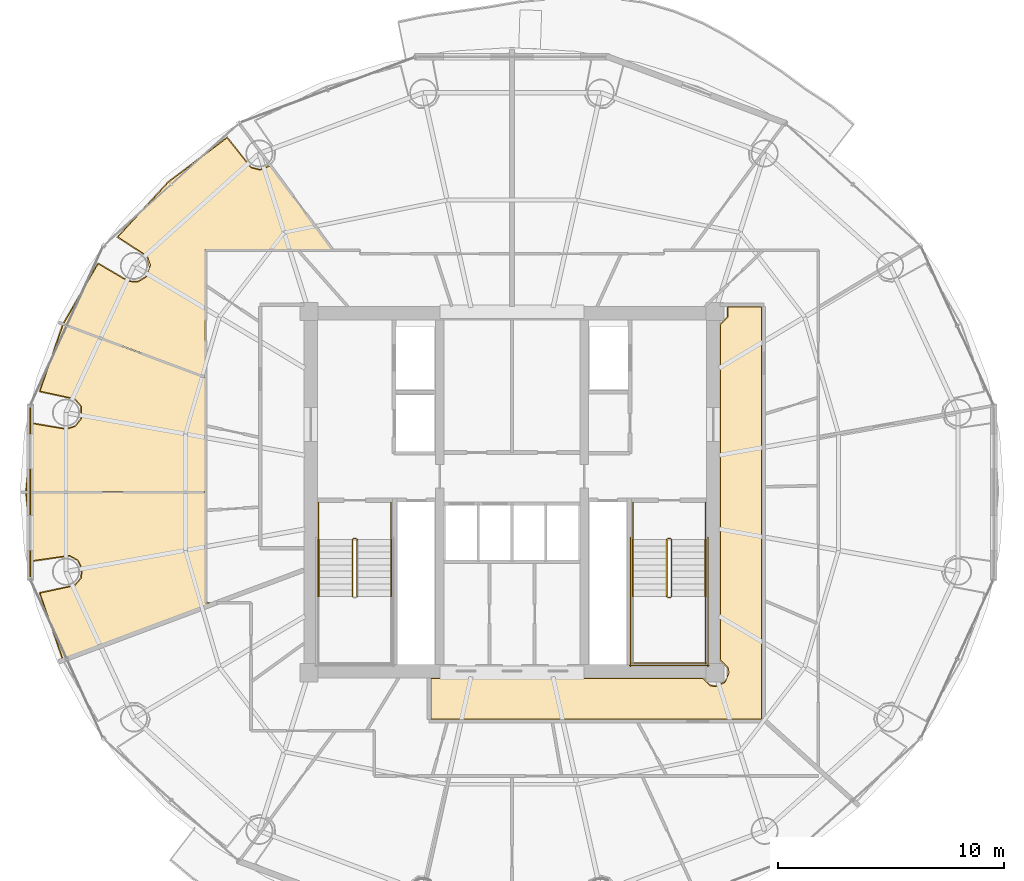
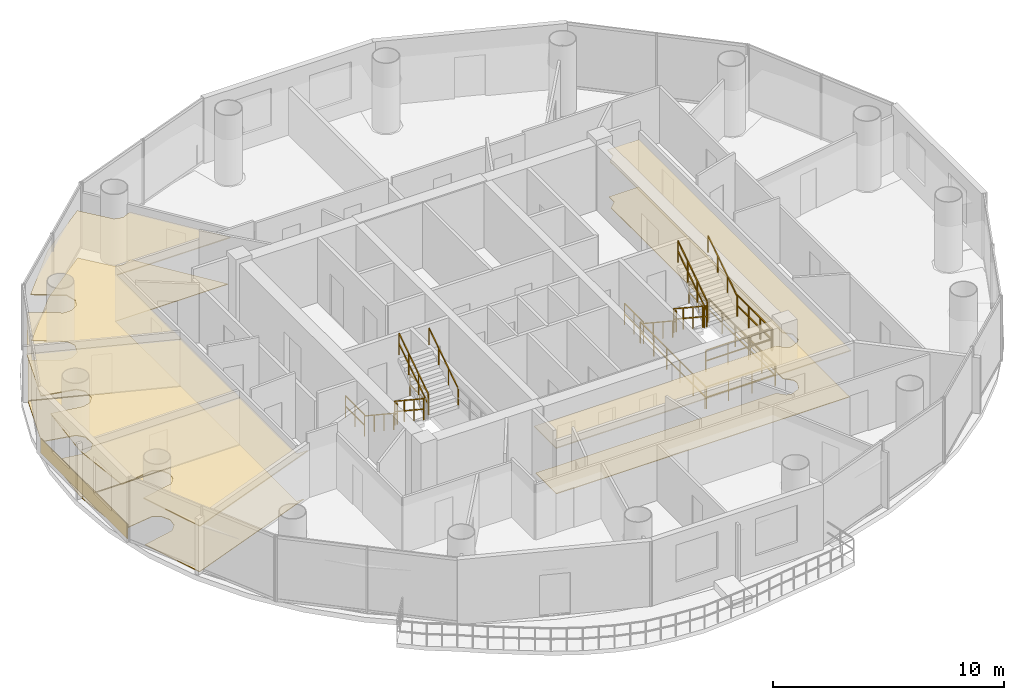
# One storey, part 25 of 26: 20 railings, 9 coverings.
"""IFC4 building model written with IfcOpenShell, lengths in metres."""

from ifc_helpers import new_model, si_unit, direction, frame, origin, origin_2d, place, context, subcontext, project, spatial, polyline, rectangle, outline, extrude, source, transform, mapped, material, layer, layer_set, type_object, element, save


model = new_model("IFC4")

# Units and contexts
model_context = context("Model", 3, precision=1e-05, world=origin(), true_north=direction((-0.2419218956, 0.970295726276)))
body_context = subcontext(model_context, "Body", "Model", "MODEL_VIEW")
ifc_project = project(units=[si_unit("LENGTHUNIT", "METRE"), si_unit("AREAUNIT", "SQUARE_METRE"), si_unit("VOLUMEUNIT", "CUBIC_METRE"), si_unit("PLANEANGLEUNIT", "RADIAN"), si_unit("MASSUNIT", "GRAM", prefix="KILO")], contexts=[model_context])

# Site, building, storey
site_placement = place(None, origin())
site = spatial("IfcSite", under=ifc_project, at=site_placement, CompositionType="ELEMENT")
building_placement = place(site_placement, origin())
building = spatial("IfcBuilding", under=site, at=building_placement, Name="Cobrevalo Terracotta Tower", CompositionType="ELEMENT")
storey_placement = place(building_placement, frame((0.0, 0.0, 206.0)))
storey = spatial("IfcBuildingStorey", under=building, at=storey_placement, Name="L54", CompositionType="ELEMENT", Elevation=206.0)

# Coverings
ifc_material_1 = material(Name="Engineered Brazilian hardwood flooring", Category="wood")
ifc_layer_1 = layer(ifc_material_1, 0.028076171875)
ifc_layer_set_1 = layer_set([ifc_layer_1], Name="Engineered Brazilian hardwood flooring")
covering_type_1 = type_object("IfcCoveringType", Name="Engineered Hardwood Suite Flooring 28", PredefinedType="FLOORING", material=ifc_layer_set_1)
covering_1_placement = place(storey_placement, origin())
element("IfcCovering", 1, at=covering_1_placement, inside=storey, type_object=covering_type_1, Name="Flat L54A Master Bedroom floor finish", PredefinedType="FLOORING", context=body_context, shape_type="SweptSolid", body=[
    extrude(outline(polyline([(19.662109375, 36.91357421875), (20.9970703125, 36.131103515625), (21.42626953125, 36.1103515625), (21.794677734375, 36.331298828125), (21.985107421875, 36.86474609375), (21.840087890625, 37.269287109375), (20.546875, 38.10888671875), (22.782470703125, 40.53125), (25.3720703125, 42.49169921875), (26.426513671875, 41.172119140625), (26.843505859375, 41.06884765625), (27.2890625, 41.25244140625), (30.0302734375, 37.544921875), (24.405029296875, 37.544921875), (24.405029296875, 31.91015625), (18.132568359375, 34.258056640625), (19.662109375, 36.91357421875)])), origin(), (0.0, 0.0, 1.0), 0.030029296875),
])
covering_2_placement = place(storey_placement, origin())
element("IfcCovering", 2, at=covering_2_placement, inside=storey, type_object=covering_type_1, Name="Flat L54A Principal Guest Bedroom floor finish", PredefinedType="FLOORING", context=body_context, shape_type="SweptSolid", body=[
    extrude(outline(polyline([(16.7734375, 29.83056640625), (18.251953125, 29.58154296875), (18.66064453125, 29.71435546875), (18.926513671875, 30.052001953125), (18.9150390625, 30.6181640625), (18.635986328125, 30.94482421875), (17.09228515625, 31.277099609375), (18.114501953125, 34.221923828125), (24.405029296875, 31.867431640625), (24.405029296875, 26.820068359375), (16.4814453125, 26.820068359375), (16.7734375, 29.83056640625)])), origin(), (0.0, 0.0, 1.0), 0.030029296875),
])
covering_3_placement = place(storey_placement, origin())
element("IfcCovering", 3, at=covering_3_placement, inside=storey, type_object=covering_type_1, Name="Flat L54A Principal Guest Bedroom floor finish", PredefinedType="FLOORING", context=body_context, shape_type="SweptSolid", body=[
    extrude(outline(polyline([(16.4814453125, 26.780029296875), (24.405029296875, 26.780029296875), (24.405029296875, 21.88037109375), (24.780517578125, 21.873046875), (18.114501953125, 19.3779296875), (17.09228515625, 22.322998046875), (18.635986328125, 22.655029296875), (18.9150390625, 22.981689453125), (18.9658203125, 23.408447265625), (18.770751953125, 23.791259765625), (18.39599609375, 24.00146484375), (16.7734375, 23.76953125), (16.4814453125, 26.780029296875)])), origin(), (0.0, 0.0, 1.0), 0.030029296875),
])
ifc_material_2 = material(Name="Honed terracotta and granite tile", Category="masonry")
ifc_layer_2 = layer(ifc_material_2, 0.034912109375)
ifc_layer_set_2 = layer_set([ifc_layer_2], Name="Honed terracotta and granite tile")
covering_type_2 = type_object("IfcCoveringType", Name="Honed Terracotta & Granite Interior Flooring 35", PredefinedType="FLOORING", material=ifc_layer_set_2)
covering_4_placement = place(storey_placement, origin())
element("IfcCovering", 4, at=covering_4_placement, inside=storey, type_object=covering_type_2, Name="L54 Residential Floor Corridor 1 floor finish", PredefinedType="FLOORING", context=body_context, shape_type="SweptSolid", body=[
    extrude(outline(polyline([(34.419921875, 18.554931640625), (46.431884765625, 18.554931640625), (46.7626953125, 18.226806640625), (47.0, 18.1796875), (47.438720703125, 18.361328125), (47.620361328125, 18.800048828125), (47.5732421875, 19.037353515625), (47.2451171875, 19.3681640625), (47.2451171875, 34.23193359375), (47.5732421875, 34.5625), (47.57958984375, 35.0048828125), (49.054931640625, 35.0048828125), (49.054931640625, 16.7451171875), (34.419921875, 16.7451171875), (34.419921875, 18.554931640625)])), origin(), (0.0, 0.0, 1.0), 0.030029296875),
])
ifc_material_3 = material(Name="Acoustic perforated gypsum ceiling", Category="gypsum")
ifc_layer_3 = layer(ifc_material_3, 0.050048828125)
ifc_layer_set_3 = layer_set([ifc_layer_3], Name="Acoustic perforated gypsum ceiling")
covering_type_3 = type_object("IfcCoveringType", Name="Perforated Acoustic Gypsum Ceiling 50", PredefinedType="CEILING", material=ifc_layer_set_3)
covering_5_placement = place(storey_placement, frame((0.0, 0.0, 2.445068359375)))
element("IfcCovering", 5, at=covering_5_placement, inside=storey, type_object=covering_type_3, Name="L54 Residential Floor Corridor 1 acoustic ceiling", PredefinedType="CEILING", context=body_context, shape_type="SweptSolid", body=[
    extrude(outline(polyline([(34.375, 18.60009765625), (46.4560546875, 18.60009765625), (46.780029296875, 18.269287109375), (47.0, 18.2255859375), (47.40625, 18.393798828125), (47.53076171875, 18.580078125), (47.53076171875, 19.019775390625), (47.199951171875, 19.343994140625), (47.199951171875, 34.255859375), (47.53076171875, 34.580078125), (47.524658203125, 35.050048828125), (49.10009765625, 35.050048828125), (49.10009765625, 16.699951171875), (34.375, 16.699951171875), (34.375, 18.60009765625)])), origin(), (0.0, 0.0, 1.0), 0.050048828125),
])
covering_6_placement = place(storey_placement, frame((0.0, 0.0, 2.445068359375)))
element("IfcCovering", 6, at=covering_6_placement, inside=storey, type_object=covering_type_3, Name="Flat L54A Master Bedroom acoustic ceiling", PredefinedType="CEILING", context=body_context, shape_type="SweptSolid", body=[
    extrude(outline(polyline([(19.650146484375, 36.97314453125), (21.01220703125, 36.173583984375), (21.4150390625, 36.154052734375), (21.760986328125, 36.36181640625), (21.933349609375, 36.7265625), (21.8037109375, 37.242431640625), (20.481201171875, 38.095703125), (22.752197265625, 40.564697265625), (25.3837890625, 42.55126953125), (26.44970703125, 41.2109375), (26.84130859375, 41.114013671875), (27.29541015625, 41.319091796875), (30.119384765625, 37.5), (24.449951171875, 37.5), (24.449951171875, 31.84521484375), (18.068115234375, 34.234130859375), (19.650146484375, 36.97314453125)])), origin(), (0.0, 0.0, 1.0), 0.050048828125),
])
covering_7_placement = place(storey_placement, frame((0.0, 0.0, 2.445068359375)))
element("IfcCovering", 7, at=covering_7_placement, inside=storey, type_object=covering_type_3, Name="Flat L54A Principal Guest Bedroom acoustic ceiling", PredefinedType="CEILING", context=body_context, shape_type="SweptSolid", body=[
    extrude(outline(polyline([(16.73876953125, 29.88232421875), (18.2509765625, 29.626708984375), (18.634765625, 29.75146484375), (18.88427734375, 30.068359375), (18.873779296875, 30.60009765625), (18.611572265625, 30.90673828125), (17.038330078125, 31.240966796875), (18.088134765625, 34.280029296875), (24.449951171875, 31.898681640625), (24.449951171875, 26.77490234375), (16.43310546875, 26.77490234375), (16.73876953125, 29.88232421875)])), origin(), (0.0, 0.0, 1.0), 0.050048828125),
])
covering_8_placement = place(storey_placement, frame((0.0, 0.0, 2.445068359375)))
element("IfcCovering", 8, at=covering_8_placement, inside=storey, type_object=covering_type_3, Name="Flat L54A Principal Guest Bedroom acoustic ceiling", PredefinedType="CEILING", context=body_context, shape_type="SweptSolid", body=[
    extrude(outline(polyline([(16.43310546875, 26.824951171875), (24.449951171875, 26.824951171875), (24.449951171875, 21.924560546875), (25.01220703125, 21.911865234375), (18.088134765625, 19.320068359375), (17.038330078125, 22.359130859375), (18.611572265625, 22.693359375), (18.873779296875, 23.0), (18.92138671875, 23.400634765625), (18.73828125, 23.760009765625), (18.386474609375, 23.957275390625), (16.73876953125, 23.717529296875), (16.43310546875, 26.824951171875)])), origin(), (0.0, 0.0, 1.0), 0.050048828125),
])

# Railings
ifc_material_4 = material(Name="Brushed stainless steel", Category="steel")
railing_type_1 = type_object("IfcRailingType", Name="Stainless Steel Stair Handrail 900", PredefinedType="HANDRAIL", material=ifc_material_4)
railing_1_placement = place(storey_placement, frame((29.425048828125, 24.699951171875, 0.18505859375)))
element("IfcRailing", 9, at=railing_1_placement, inside=storey, type_object=railing_type_1, Name="L54 ST-1 stair handrail 1", PredefinedType="HANDRAIL", context=body_context, shape_type="SweptSolid", body=[
    extrude(rectangle(XDim=0.048095703125, YDim=0.048095703125, at=origin_2d()), frame((0.0, 0.0, 0.8759765625), z_axis=(0.0, -0.834331337432, 0.55126329406), x_axis=(1.0, 0.0, 0.0)), (0.0, 0.0, 1.0), 3.0205078125),
    extrude(rectangle(XDim=0.0419921875, YDim=0.0419921875, at=origin_2d()), origin(), (0.0, 0.0, 1.0), 0.851806640625),
    extrude(rectangle(XDim=0.0419921875, YDim=0.0419921875, at=origin_2d()), frame((0.0, -0.840087890625, 0.554931640625)), (0.0, 0.0, 1.0), 0.851806640625),
    extrude(rectangle(XDim=0.0419921875, YDim=0.0419921875, at=origin_2d()), frame((0.0, -1.679931640625, 1.110107421875)), (0.0, 0.0, 1.0), 0.851806640625),
    extrude(rectangle(XDim=0.0419921875, YDim=0.0419921875, at=origin_2d()), frame((0.0, -2.52001953125, 1.6650390625)), (0.0, 0.0, 1.0), 0.851806640625),
])
railing_2_placement = place(storey_placement, frame((32.64501953125, 22.179931640625, 2.034912109375)))
element("IfcRailing", 10, at=railing_2_placement, inside=storey, type_object=railing_type_1, Name="L54 ST-1 stair handrail 2", PredefinedType="HANDRAIL", context=body_context, shape_type="SweptSolid", body=[
    extrude(rectangle(XDim=0.048095703125, YDim=0.048095703125, at=origin_2d()), frame((0.0, 0.0, 0.8759765625), z_axis=(0.0, 0.834331337432, 0.55126329406), x_axis=(-1.0, 0.0, 0.0)), (0.0, 0.0, 1.0), 3.0205078125),
    extrude(rectangle(XDim=0.0419921875, YDim=0.0419921875, at=origin_2d()), origin(), (0.0, 0.0, 1.0), 0.851806640625),
    extrude(rectangle(XDim=0.0419921875, YDim=0.0419921875, at=origin_2d()), frame((0.0, 0.840087890625, 0.554931640625)), (0.0, 0.0, 1.0), 0.851806640625),
    extrude(rectangle(XDim=0.0419921875, YDim=0.0419921875, at=origin_2d()), frame((0.0, 1.679931640625, 1.110107421875)), (0.0, 0.0, 1.0), 0.851806640625),
    extrude(rectangle(XDim=0.0419921875, YDim=0.0419921875, at=origin_2d()), frame((0.0, 2.52001953125, 1.6650390625)), (0.0, 0.0, 1.0), 0.851806640625),
])
railing_3_placement = place(storey_placement, frame((43.35498046875, 24.699951171875, 0.18505859375)))
element("IfcRailing", 11, at=railing_3_placement, inside=storey, type_object=railing_type_1, Name="L54 ST-2 stair handrail 1", PredefinedType="HANDRAIL", context=body_context, shape_type="SweptSolid", body=[
    extrude(rectangle(XDim=0.048095703125, YDim=0.048095703125, at=origin_2d()), frame((0.0, 0.0, 0.8759765625), z_axis=(0.0, -0.834331337432, 0.55126329406), x_axis=(1.0, 0.0, 0.0)), (0.0, 0.0, 1.0), 3.0205078125),
    extrude(rectangle(XDim=0.0419921875, YDim=0.0419921875, at=origin_2d()), origin(), (0.0, 0.0, 1.0), 0.851806640625),
    extrude(rectangle(XDim=0.0419921875, YDim=0.0419921875, at=origin_2d()), frame((0.0, -0.840087890625, 0.554931640625)), (0.0, 0.0, 1.0), 0.851806640625),
    extrude(rectangle(XDim=0.0419921875, YDim=0.0419921875, at=origin_2d()), frame((0.0, -1.679931640625, 1.110107421875)), (0.0, 0.0, 1.0), 0.851806640625),
    extrude(rectangle(XDim=0.0419921875, YDim=0.0419921875, at=origin_2d()), frame((0.0, -2.52001953125, 1.6650390625)), (0.0, 0.0, 1.0), 0.851806640625),
])
railing_4_placement = place(storey_placement, frame((46.574951171875, 22.179931640625, 2.034912109375)))
element("IfcRailing", 12, at=railing_4_placement, inside=storey, type_object=railing_type_1, Name="L54 ST-2 stair handrail 2", PredefinedType="HANDRAIL", context=body_context, shape_type="SweptSolid", body=[
    extrude(rectangle(XDim=0.048095703125, YDim=0.048095703125, at=origin_2d()), frame((0.0, 0.0, 0.8759765625), z_axis=(0.0, 0.834331337432, 0.55126329406), x_axis=(-1.0, 0.0, 0.0)), (0.0, 0.0, 1.0), 3.0205078125),
    extrude(rectangle(XDim=0.0419921875, YDim=0.0419921875, at=origin_2d()), origin(), (0.0, 0.0, 1.0), 0.851806640625),
    extrude(rectangle(XDim=0.0419921875, YDim=0.0419921875, at=origin_2d()), frame((0.0, 0.840087890625, 0.554931640625)), (0.0, 0.0, 1.0), 0.851806640625),
    extrude(rectangle(XDim=0.0419921875, YDim=0.0419921875, at=origin_2d()), frame((0.0, 1.679931640625, 1.110107421875)), (0.0, 0.0, 1.0), 0.851806640625),
    extrude(rectangle(XDim=0.0419921875, YDim=0.0419921875, at=origin_2d()), frame((0.0, 2.52001953125, 1.6650390625)), (0.0, 0.0, 1.0), 0.851806640625),
])
ifc_material_5 = material(Name="Painted galvanized steel", Category="steel")
railing_type_2 = type_object("IfcRailingType", Name="Stair Well Guard Balustrade 1150", PredefinedType="GUARDRAIL", material=ifc_material_5)
railing_5_placement = place(storey_placement, frame((30.925048828125, 24.699951171875, 0.18505859375)))
element("IfcRailing", 13, at=railing_5_placement, inside=storey, type_object=railing_type_2, Name="L54 ST-1 stair guard 1", PredefinedType="GUARDRAIL", context=body_context, shape_type="SweptSolid", body=[
    extrude(rectangle(XDim=0.048095703125, YDim=0.048095703125, at=origin_2d()), frame((0.0, 0.0, 1.1259765625), z_axis=(0.0, -0.834331337432, 0.55126329406), x_axis=(1.0, 0.0, 0.0)), (0.0, 0.0, 1.0), 3.0205078125),
    extrude(rectangle(XDim=0.048095703125, YDim=0.048095703125, at=origin_2d()), frame((0.0, 0.0, 0.574951171875), z_axis=(0.0, -0.834331337432, 0.55126329406), x_axis=(1.0, 0.0, 0.0)), (0.0, 0.0, 1.0), 3.0205078125),
    extrude(rectangle(XDim=0.0419921875, YDim=0.0419921875, at=origin_2d()), origin(), (0.0, 0.0, 1.0), 1.101806640625),
    extrude(rectangle(XDim=0.0419921875, YDim=0.0419921875, at=origin_2d()), frame((0.0, -0.840087890625, 0.554931640625)), (0.0, 0.0, 1.0), 1.101806640625),
    extrude(rectangle(XDim=0.0419921875, YDim=0.0419921875, at=origin_2d()), frame((0.0, -1.679931640625, 1.110107421875)), (0.0, 0.0, 1.0), 1.101806640625),
    extrude(rectangle(XDim=0.0419921875, YDim=0.0419921875, at=origin_2d()), frame((0.0, -2.52001953125, 1.6650390625)), (0.0, 0.0, 1.0), 1.101806640625),
])
railing_6_placement = place(storey_placement, frame((31.14501953125, 22.179931640625, 2.034912109375)))
element("IfcRailing", 14, at=railing_6_placement, inside=storey, type_object=railing_type_2, Name="L54 ST-1 stair guard 6", PredefinedType="GUARDRAIL", context=body_context, shape_type="SweptSolid", body=[
    extrude(rectangle(XDim=0.048095703125, YDim=0.048095703125, at=origin_2d()), frame((0.0, 0.0, 1.1259765625), z_axis=(0.0, 0.834331337432, 0.55126329406), x_axis=(-1.0, 0.0, 0.0)), (0.0, 0.0, 1.0), 3.0205078125),
    extrude(rectangle(XDim=0.048095703125, YDim=0.048095703125, at=origin_2d()), frame((0.0, 0.0, 0.574951171875), z_axis=(0.0, 0.834331337432, 0.55126329406), x_axis=(-1.0, 0.0, 0.0)), (0.0, 0.0, 1.0), 3.0205078125),
    extrude(rectangle(XDim=0.0419921875, YDim=0.0419921875, at=origin_2d()), origin(), (0.0, 0.0, 1.0), 1.101806640625),
    extrude(rectangle(XDim=0.0419921875, YDim=0.0419921875, at=origin_2d()), frame((0.0, 0.840087890625, 0.554931640625)), (0.0, 0.0, 1.0), 1.101806640625),
    extrude(rectangle(XDim=0.0419921875, YDim=0.0419921875, at=origin_2d()), frame((0.0, 1.679931640625, 1.110107421875)), (0.0, 0.0, 1.0), 1.101806640625),
    extrude(rectangle(XDim=0.0419921875, YDim=0.0419921875, at=origin_2d()), frame((0.0, 2.52001953125, 1.6650390625)), (0.0, 0.0, 1.0), 1.101806640625),
])
railing_7_placement = place(storey_placement, frame((30.97509765625, 24.75, 0.0)))
element("IfcRailing", 15, at=railing_7_placement, inside=storey, type_object=railing_type_2, Name="L54 ST-1 stair guard 7", PredefinedType="GUARDRAIL", context=body_context, shape_type="SweptSolid", body=[
    extrude(rectangle(XDim=0.048095703125, YDim=0.048095703125, at=origin_2d()), frame((0.0, 0.0, 1.1259765625), z_axis=(1.0, 0.0, 0.0), x_axis=(0.0, 1.0, 0.0)), (0.0, 0.0, 1.0), 0.119873046875),
    extrude(rectangle(XDim=0.048095703125, YDim=0.048095703125, at=origin_2d()), frame((0.0, 0.0, 0.574951171875), z_axis=(1.0, 0.0, 0.0), x_axis=(0.0, 1.0, 0.0)), (0.0, 0.0, 1.0), 0.119873046875),
    extrude(rectangle(XDim=0.0419921875, YDim=0.0419921875, at=origin_2d()), origin(), (0.0, 0.0, 1.0), 1.101806640625),
    extrude(rectangle(XDim=0.0419921875, YDim=0.0419921875, at=origin_2d()), frame((0.119873046875, 0.0, 0.0)), (0.0, 0.0, 1.0), 1.101806640625),
])
for number, where, name in (
    (16, (29.425048828125, 26.35009765625, 0.0), "L54 ST-1 stair guard 8"),
    (17, (32.64501953125, 26.35009765625, 0.0), "L54 ST-1 stair guard 9"),
):
    element("IfcRailing", number, at=place(storey_placement, frame(where)), inside=storey, type_object=railing_type_2, Name=name, PredefinedType="GUARDRAIL", context=body_context, shape_type="SweptSolid", body=[
        extrude(rectangle(XDim=0.048095703125, YDim=0.048095703125, at=origin_2d()), frame((0.0, 0.0, 1.1259765625), z_axis=(0.0, -1.0, 0.0), x_axis=(1.0, 0.0, 0.0)), (0.0, 0.0, 1.0), 1.650146484375),
        extrude(rectangle(XDim=0.048095703125, YDim=0.048095703125, at=origin_2d()), frame((0.0, 0.0, 0.574951171875), z_axis=(0.0, -1.0, 0.0), x_axis=(1.0, 0.0, 0.0)), (0.0, 0.0, 1.0), 1.650146484375),
        extrude(rectangle(XDim=0.0419921875, YDim=0.0419921875, at=origin_2d()), origin(), (0.0, 0.0, 1.0), 1.101806640625),
        extrude(rectangle(XDim=0.0419921875, YDim=0.0419921875, at=origin_2d()), frame((0.0, -0.8251953125, 0.0)), (0.0, 0.0, 1.0), 1.101806640625),
        extrude(rectangle(XDim=0.0419921875, YDim=0.0419921875, at=origin_2d()), frame((0.0, -1.650146484375, 0.0)), (0.0, 0.0, 1.0), 1.101806640625),
    ])
railing_8_placement = place(storey_placement, frame((44.85498046875, 24.699951171875, 0.18505859375)))
element("IfcRailing", 18, at=railing_8_placement, inside=storey, type_object=railing_type_2, Name="L54 ST-2 stair guard 1", PredefinedType="GUARDRAIL", context=body_context, shape_type="SweptSolid", body=[
    extrude(rectangle(XDim=0.048095703125, YDim=0.048095703125, at=origin_2d()), frame((0.0, 0.0, 1.1259765625), z_axis=(0.0, -0.834331337432, 0.55126329406), x_axis=(1.0, 0.0, 0.0)), (0.0, 0.0, 1.0), 3.0205078125),
    extrude(rectangle(XDim=0.048095703125, YDim=0.048095703125, at=origin_2d()), frame((0.0, 0.0, 0.574951171875), z_axis=(0.0, -0.834331337432, 0.55126329406), x_axis=(1.0, 0.0, 0.0)), (0.0, 0.0, 1.0), 3.0205078125),
    extrude(rectangle(XDim=0.0419921875, YDim=0.0419921875, at=origin_2d()), origin(), (0.0, 0.0, 1.0), 1.101806640625),
    extrude(rectangle(XDim=0.0419921875, YDim=0.0419921875, at=origin_2d()), frame((0.0, -0.840087890625, 0.554931640625)), (0.0, 0.0, 1.0), 1.101806640625),
    extrude(rectangle(XDim=0.0419921875, YDim=0.0419921875, at=origin_2d()), frame((0.0, -1.679931640625, 1.110107421875)), (0.0, 0.0, 1.0), 1.101806640625),
    extrude(rectangle(XDim=0.0419921875, YDim=0.0419921875, at=origin_2d()), frame((0.0, -2.52001953125, 1.6650390625)), (0.0, 0.0, 1.0), 1.101806640625),
])
railing_9_placement = place(storey_placement, frame((44.905029296875, 22.1298828125, 1.85009765625)))
element("IfcRailing", 19, at=railing_9_placement, inside=storey, type_object=railing_type_2, Name="L54 ST-2 stair guard 2", PredefinedType="GUARDRAIL", context=body_context, shape_type="SweptSolid", body=[
    extrude(rectangle(XDim=0.048095703125, YDim=0.048095703125, at=origin_2d()), frame((0.0, 0.0, 1.1259765625), z_axis=(1.0, 0.0, 0.0), x_axis=(0.0, 1.0, 0.0)), (0.0, 0.0, 1.0), 0.119873046875),
    extrude(rectangle(XDim=0.048095703125, YDim=0.048095703125, at=origin_2d()), frame((0.0, 0.0, 0.574951171875), z_axis=(1.0, 0.0, 0.0), x_axis=(0.0, 1.0, 0.0)), (0.0, 0.0, 1.0), 0.119873046875),
    extrude(rectangle(XDim=0.0419921875, YDim=0.0419921875, at=origin_2d()), origin(), (0.0, 0.0, 1.0), 1.101806640625),
    extrude(rectangle(XDim=0.0419921875, YDim=0.0419921875, at=origin_2d()), frame((0.119873046875, 0.0, 0.0)), (0.0, 0.0, 1.0), 1.101806640625),
])
railing_10_placement = place(storey_placement, frame((46.574951171875, 22.179931640625, 1.85009765625)))
element("IfcRailing", 20, at=railing_10_placement, inside=storey, type_object=railing_type_2, Name="L54 ST-2 stair guard 4", PredefinedType="GUARDRAIL", context=body_context, shape_type="SweptSolid", body=[
    extrude(rectangle(XDim=0.048095703125, YDim=0.048095703125, at=origin_2d()), frame((0.0, 0.0, 1.1259765625), z_axis=(0.0, -1.0, 0.0), x_axis=(1.0, 0.0, 0.0)), (0.0, 0.0, 1.0), 3.0048828125),
    extrude(rectangle(XDim=0.048095703125, YDim=0.048095703125, at=origin_2d()), frame((0.0, 0.0, 0.574951171875), z_axis=(0.0, -1.0, 0.0), x_axis=(1.0, 0.0, 0.0)), (0.0, 0.0, 1.0), 3.0048828125),
    extrude(rectangle(XDim=0.0419921875, YDim=0.0419921875, at=origin_2d()), origin(), (0.0, 0.0, 1.0), 1.101806640625),
    extrude(rectangle(XDim=0.0419921875, YDim=0.0419921875, at=origin_2d()), frame((0.0, -1.001708984375, 0.0)), (0.0, 0.0, 1.0), 1.101806640625),
    extrude(rectangle(XDim=0.0419921875, YDim=0.0419921875, at=origin_2d()), frame((0.0, -2.003173828125, 0.0)), (0.0, 0.0, 1.0), 1.101806640625),
    extrude(rectangle(XDim=0.0419921875, YDim=0.0419921875, at=origin_2d()), frame((0.0, -3.0048828125, 0.0)), (0.0, 0.0, 1.0), 1.101806640625),
])
railing_11_placement = place(storey_placement, frame((43.304931640625, 19.22509765625, 1.85009765625)))
element("IfcRailing", 21, at=railing_11_placement, inside=storey, type_object=railing_type_2, Name="L54 ST-2 stair guard 5", PredefinedType="GUARDRAIL", context=body_context, shape_type="SweptSolid", body=[
    extrude(rectangle(XDim=0.048095703125, YDim=0.048095703125, at=origin_2d()), frame((0.0, 0.0, 1.1259765625), z_axis=(1.0, 0.0, 0.0), x_axis=(0.0, 1.0, 0.0)), (0.0, 0.0, 1.0), 3.320068359375),
    extrude(rectangle(XDim=0.048095703125, YDim=0.048095703125, at=origin_2d()), frame((0.0, 0.0, 0.574951171875), z_axis=(1.0, 0.0, 0.0), x_axis=(0.0, 1.0, 0.0)), (0.0, 0.0, 1.0), 3.320068359375),
    extrude(rectangle(XDim=0.0419921875, YDim=0.0419921875, at=origin_2d()), origin(), (0.0, 0.0, 1.0), 1.101806640625),
    extrude(rectangle(XDim=0.0419921875, YDim=0.0419921875, at=origin_2d()), frame((1.106689453125, 0.0, 0.0)), (0.0, 0.0, 1.0), 1.101806640625),
    extrude(rectangle(XDim=0.0419921875, YDim=0.0419921875, at=origin_2d()), frame((2.21337890625, 0.0, 0.0)), (0.0, 0.0, 1.0), 1.101806640625),
    extrude(rectangle(XDim=0.0419921875, YDim=0.0419921875, at=origin_2d()), frame((3.320068359375, 0.0, 0.0)), (0.0, 0.0, 1.0), 1.101806640625),
])
railing_12_placement = place(storey_placement, frame((45.074951171875, 22.179931640625, 2.034912109375)))
element("IfcRailing", 22, at=railing_12_placement, inside=storey, type_object=railing_type_2, Name="L54 ST-2 stair guard 6", PredefinedType="GUARDRAIL", context=body_context, shape_type="SweptSolid", body=[
    extrude(rectangle(XDim=0.048095703125, YDim=0.048095703125, at=origin_2d()), frame((0.0, 0.0, 1.1259765625), z_axis=(0.0, 0.834331337432, 0.55126329406), x_axis=(-1.0, 0.0, 0.0)), (0.0, 0.0, 1.0), 3.0205078125),
    extrude(rectangle(XDim=0.048095703125, YDim=0.048095703125, at=origin_2d()), frame((0.0, 0.0, 0.574951171875), z_axis=(0.0, 0.834331337432, 0.55126329406), x_axis=(-1.0, 0.0, 0.0)), (0.0, 0.0, 1.0), 3.0205078125),
    extrude(rectangle(XDim=0.0419921875, YDim=0.0419921875, at=origin_2d()), origin(), (0.0, 0.0, 1.0), 1.101806640625),
    extrude(rectangle(XDim=0.0419921875, YDim=0.0419921875, at=origin_2d()), frame((0.0, 0.840087890625, 0.554931640625)), (0.0, 0.0, 1.0), 1.101806640625),
    extrude(rectangle(XDim=0.0419921875, YDim=0.0419921875, at=origin_2d()), frame((0.0, 1.679931640625, 1.110107421875)), (0.0, 0.0, 1.0), 1.101806640625),
    extrude(rectangle(XDim=0.0419921875, YDim=0.0419921875, at=origin_2d()), frame((0.0, 2.52001953125, 1.6650390625)), (0.0, 0.0, 1.0), 1.101806640625),
])
railing_13_placement = place(storey_placement, frame((44.905029296875, 24.75, 0.0)))
element("IfcRailing", 23, at=railing_13_placement, inside=storey, type_object=railing_type_2, Name="L54 ST-2 stair guard 7", PredefinedType="GUARDRAIL", context=body_context, shape_type="SweptSolid", body=[
    extrude(rectangle(XDim=0.048095703125, YDim=0.048095703125, at=origin_2d()), frame((0.0, 0.0, 1.1259765625), z_axis=(1.0, 0.0, 0.0), x_axis=(0.0, 1.0, 0.0)), (0.0, 0.0, 1.0), 0.119873046875),
    extrude(rectangle(XDim=0.048095703125, YDim=0.048095703125, at=origin_2d()), frame((0.0, 0.0, 0.574951171875), z_axis=(1.0, 0.0, 0.0), x_axis=(0.0, 1.0, 0.0)), (0.0, 0.0, 1.0), 0.119873046875),
    extrude(rectangle(XDim=0.0419921875, YDim=0.0419921875, at=origin_2d()), origin(), (0.0, 0.0, 1.0), 1.101806640625),
    extrude(rectangle(XDim=0.0419921875, YDim=0.0419921875, at=origin_2d()), frame((0.119873046875, 0.0, 0.0)), (0.0, 0.0, 1.0), 1.101806640625),
])
for number, where, name in (
    (24, (43.35498046875, 26.35009765625, 0.0), "L54 ST-2 stair guard 8"),
    (25, (46.574951171875, 26.35009765625, 0.0), "L54 ST-2 stair guard 9"),
):
    element("IfcRailing", number, at=place(storey_placement, frame(where)), inside=storey, type_object=railing_type_2, Name=name, PredefinedType="GUARDRAIL", context=body_context, shape_type="SweptSolid", body=[
        extrude(rectangle(XDim=0.048095703125, YDim=0.048095703125, at=origin_2d()), frame((0.0, 0.0, 1.1259765625), z_axis=(0.0, -1.0, 0.0), x_axis=(1.0, 0.0, 0.0)), (0.0, 0.0, 1.0), 1.650146484375),
        extrude(rectangle(XDim=0.048095703125, YDim=0.048095703125, at=origin_2d()), frame((0.0, 0.0, 0.574951171875), z_axis=(0.0, -1.0, 0.0), x_axis=(1.0, 0.0, 0.0)), (0.0, 0.0, 1.0), 1.650146484375),
        extrude(rectangle(XDim=0.0419921875, YDim=0.0419921875, at=origin_2d()), origin(), (0.0, 0.0, 1.0), 1.101806640625),
        extrude(rectangle(XDim=0.0419921875, YDim=0.0419921875, at=origin_2d()), frame((0.0, -0.8251953125, 0.0)), (0.0, 0.0, 1.0), 1.101806640625),
        extrude(rectangle(XDim=0.0419921875, YDim=0.0419921875, at=origin_2d()), frame((0.0, -1.650146484375, 0.0)), (0.0, 0.0, 1.0), 1.101806640625),
    ])
for number, where, name in (
    (26, (43.2548828125, 24.800048828125, 0.0), "L54 ST-2 stair guard 10"),
    (27, (46.675048828125, 24.800048828125, 0.0), "L54 ST-2 stair guard 11"),
):
    element("IfcRailing", number, at=place(storey_placement, frame(where)), inside=storey, type_object=railing_type_2, Name=name, PredefinedType="GUARDRAIL", context=body_context, shape_type="SweptSolid", body=[
        extrude(rectangle(XDim=0.048095703125, YDim=0.048095703125, at=origin_2d()), frame((0.0, 0.0, 1.1259765625), z_axis=(0.0, -1.0, 0.0), x_axis=(1.0, 0.0, 0.0)), (0.0, 0.0, 1.0), 5.72509765625),
        extrude(rectangle(XDim=0.048095703125, YDim=0.048095703125, at=origin_2d()), frame((0.0, 0.0, 0.574951171875), z_axis=(0.0, -1.0, 0.0), x_axis=(1.0, 0.0, 0.0)), (0.0, 0.0, 1.0), 5.72509765625),
        extrude(rectangle(XDim=0.0419921875, YDim=0.0419921875, at=origin_2d()), origin(), (0.0, 0.0, 1.0), 1.101806640625),
        extrude(rectangle(XDim=0.0419921875, YDim=0.0419921875, at=origin_2d()), frame((0.0, -1.14501953125, 0.0)), (0.0, 0.0, 1.0), 1.101806640625),
        extrude(rectangle(XDim=0.0419921875, YDim=0.0419921875, at=origin_2d()), frame((0.0, -2.2900390625, 0.0)), (0.0, 0.0, 1.0), 1.101806640625),
        extrude(rectangle(XDim=0.0419921875, YDim=0.0419921875, at=origin_2d()), frame((0.0, -3.43505859375, 0.0)), (0.0, 0.0, 1.0), 1.101806640625),
        extrude(rectangle(XDim=0.0419921875, YDim=0.0419921875, at=origin_2d()), frame((0.0, -4.580078125, 0.0)), (0.0, 0.0, 1.0), 1.101806640625),
        extrude(rectangle(XDim=0.0419921875, YDim=0.0419921875, at=origin_2d()), frame((0.0, -5.72509765625, 0.0)), (0.0, 0.0, 1.0), 1.101806640625),
    ])
railing_14_placement = place(storey_placement, frame((43.205078125, 19.125, 0.0)))
element("IfcRailing", 28, at=railing_14_placement, inside=storey, type_object=railing_type_2, Name="L54 ST-2 stair guard 12", PredefinedType="GUARDRAIL", context=body_context, shape_type="SweptSolid", body=[
    extrude(rectangle(XDim=0.048095703125, YDim=0.048095703125, at=origin_2d()), frame((0.0, 0.0, 1.1259765625), z_axis=(1.0, 0.0, 0.0), x_axis=(0.0, 1.0, 0.0)), (0.0, 0.0, 1.0), 3.52001953125),
    extrude(rectangle(XDim=0.048095703125, YDim=0.048095703125, at=origin_2d()), frame((0.0, 0.0, 0.574951171875), z_axis=(1.0, 0.0, 0.0), x_axis=(0.0, 1.0, 0.0)), (0.0, 0.0, 1.0), 3.52001953125),
    extrude(rectangle(XDim=0.0419921875, YDim=0.0419921875, at=origin_2d()), origin(), (0.0, 0.0, 1.0), 1.101806640625),
    extrude(rectangle(XDim=0.0419921875, YDim=0.0419921875, at=origin_2d()), frame((1.17333984375, 0.0, 0.0)), (0.0, 0.0, 1.0), 1.101806640625),
    extrude(rectangle(XDim=0.0419921875, YDim=0.0419921875, at=origin_2d()), frame((2.3466796875, 0.0, 0.0)), (0.0, 0.0, 1.0), 1.101806640625),
    extrude(rectangle(XDim=0.0419921875, YDim=0.0419921875, at=origin_2d()), frame((3.52001953125, 0.0, 0.0)), (0.0, 0.0, 1.0), 1.101806640625),
])

# Covering
ifc_material_6 = material(Name="Glazed terracotta facade cladding tile", Category="masonry")
ifc_layer_4 = layer(ifc_material_6, 0.044921875)
ifc_layer_set_4 = layer_set([ifc_layer_4], Name="Glazed terracotta facade cladding tile")
covering_type_4 = type_object("IfcCoveringType", Name="Architectural terracotta rainscreen spandrel cladding 45 mm", PredefinedType="CLADDING", material=ifc_layer_set_4)
shared_shape = source(origin(), body_context, "Body", "SweptSolid", [
    extrude(rectangle(XDim=7.474853515625, YDim=0.044921875, at=origin_2d()), origin(), (0.0, 0.0, 1.0), 0.760009765625),
])
covering_9_placement = place(storey_placement, frame((16.648193359375, 26.800048828125, 0.0400390625), z_axis=(0.0, 0.0, 1.0), x_axis=(0.0, -1.0, 0.0)))
element("IfcCovering", 29, at=covering_9_placement, inside=storey, type_object=covering_type_4, Name="L54 terracotta spandrel cladding S08", PredefinedType="CLADDING", context=body_context, shape_type="MappedRepresentation", body=[
    mapped(shared_shape, transform((0.0, 0.0, 0.0), scale=1.0)),
])

save(model, "model.ifc")
